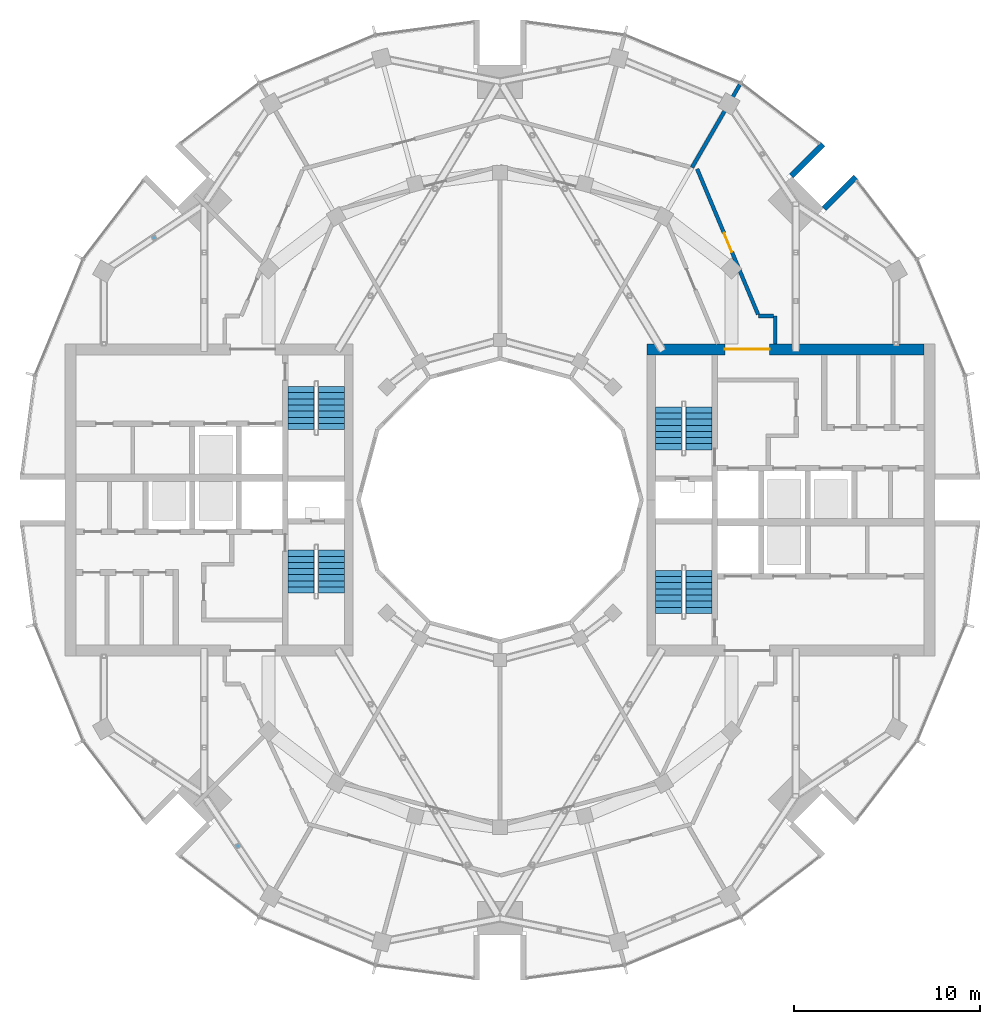
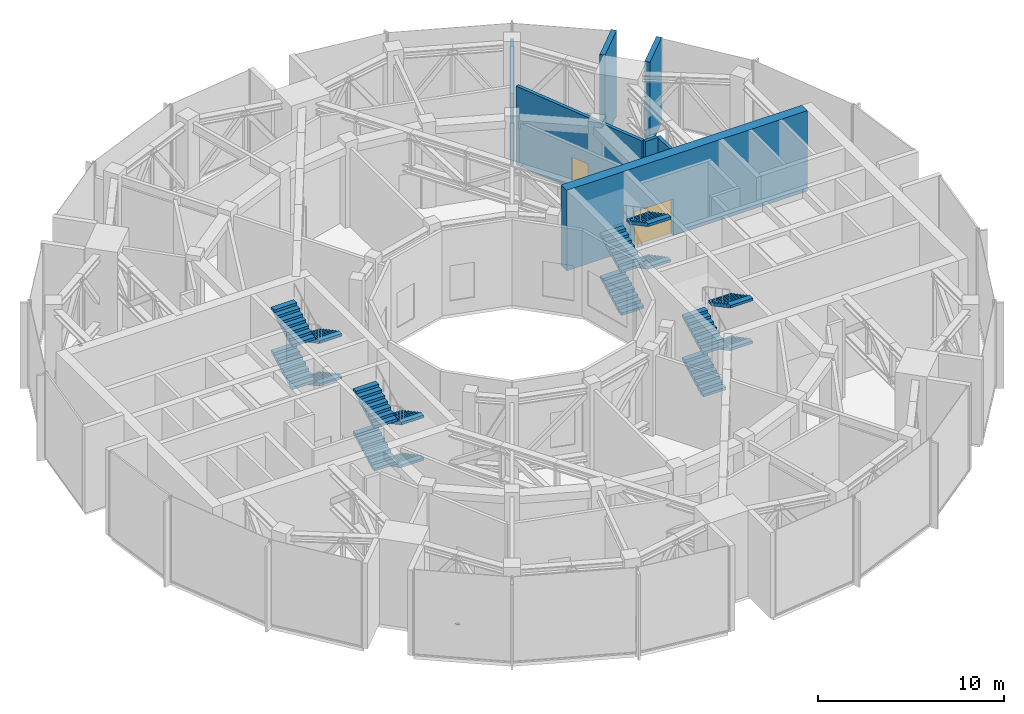
# One storey, part 16 of 18: 16 stair flights, 7 walls, 2 discrete accessories, 2 doors, 2 openings, 4 elements without a shape of their own.
"""IFC4 building model written with IfcOpenShell, lengths in metres."""

from ifc_helpers import new_model, si_unit, direction, frame, frame_2d, origin, origin_2d, place, context, subcontext, project, spatial, polyline, rectangle, outline, extrude, material, layer, layer_set, type_object, element, fill, aggregate, save


model = new_model("IFC4")

# Units and contexts
model_context = context("Model", 3, precision=1e-05, world=origin(), true_north=direction((0.0, 1.0)))
body_context = subcontext(model_context, "Body", "Model", "MODEL_VIEW")
ifc_project = project(units=[si_unit("LENGTHUNIT", "METRE"), si_unit("AREAUNIT", "SQUARE_METRE"), si_unit("VOLUMEUNIT", "CUBIC_METRE"), si_unit("PLANEANGLEUNIT", "RADIAN"), si_unit("MASSUNIT", "GRAM", prefix="KILO")], contexts=[model_context])

# Site, building, storey
site_placement = place(None, origin())
site = spatial("IfcSite", under=ifc_project, at=site_placement, CompositionType="ELEMENT")
building_placement = place(site_placement, origin())
building = spatial("IfcBuilding", under=site, at=building_placement, Name="Torre Brocal", CompositionType="ELEMENT")
storey_placement = place(building_placement, frame((0.0, 0.0, 206.89990234375)))
storey = spatial("IfcBuildingStorey", under=building, at=storey_placement, Name="L48", CompositionType="ELEMENT", Elevation=206.89990234375)

# Wall, opening, door
ifc_material_1 = material(Name="Concrete C60", Category="concrete")
ifc_layer_1 = layer(ifc_material_1, 0.60009765625)
ifc_layer_set_1 = layer_set([ifc_layer_1], Name="Concrete C60")
wall_type_1 = type_object("IfcWallType", Name="CORE WALL 600 C60", PredefinedType="SHEAR", material=ifc_layer_set_1)
wall_1_placement = place(storey_placement, frame((87.89990234375, 83.10009765625, 0.0), z_axis=(0.0, 0.0, 1.0), x_axis=(1.0, 0.0, 0.0)))
wall_1 = element("IfcWall", 1, at=wall_1_placement, inside=storey, type_object=wall_type_1, Name="Wall CW600-60", PredefinedType="SHEAR", context=body_context, shape_type="SweptSolid", body=[
    extrude(rectangle(XDim=14.900146484375, YDim=0.60009765625, at=frame_2d((7.4501953125, 0.0))), origin(), (0.0, 0.0, 1.0), 5.280029296875),
])
opening_1_placement = place(wall_1_placement, frame((4.199951171875, 0.0, 0.0)))
opening_1 = element("IfcOpeningElement", 2, at=opening_1_placement, cuts=wall_1, Name="Opening E-D12", PredefinedType="OPENING", context=body_context, shape_type="SweptSolid", body=[
    extrude(rectangle(XDim=2.39990234375, YDim=2.39990234375, at=frame_2d((1.199951171875, 1.199951171875))), frame((0.0, 0.31005859375, 0.0), z_axis=(0.0, -1.0, 0.0), x_axis=(1.0, 0.0, 0.0)), (0.0, 0.0, 1.0), 0.6201171875),
])
ifc_material_2 = material(Name="Steel A653", Category="steel")
door_type_1 = type_object("IfcDoorType", Name="DOUBLE FIRE DOOR FD90 2400X2400", OperationType="DOUBLE_DOOR_SINGLE_SWING", PredefinedType="DOOR", material=ifc_material_2)
door_1_placement = place(opening_1_placement, frame((2.39990234375, 0.0, 0.0), z_axis=(0.0, 0.0, 1.0), x_axis=(-1.0, 0.0, 0.0)))
door_1 = element("IfcDoor", 3, at=door_1_placement, inside=storey, type_object=door_type_1, Name="Door E-D12", OperationType="DOUBLE_DOOR_SINGLE_SWING", OverallHeight=2.39990234375, OverallWidth=2.39990234375, PredefinedType="DOOR", context=body_context, shape_type="SweptSolid", body=[
    extrude(rectangle(XDim=2.39990234375, YDim=2.39990234375, at=frame_2d((1.199951171875, 1.199951171875))), frame((0.0, 0.02490234375, 0.0), z_axis=(0.0, -1.0, 0.0), x_axis=(1.0, 0.0, 0.0)), (0.0, 0.0, 1.0), 0.050048828125),
])
fill(opening_1, door_1)

# Walls
ifc_material_3 = material(Name="Concrete C60", Category="concrete")
ifc_layer_2 = layer(ifc_material_3, 0.300048828125)
ifc_layer_set_2 = layer_set([ifc_layer_2], Name="Concrete C60")
wall_type_2 = type_object("IfcWallType", Name="NOTCH RETURN WALL 300 C60", PredefinedType="NOTDEFINED", material=ifc_layer_set_2)
for number, where, z_axis, x_axis, name in (
    (4, (97.43017578125, 90.662353515625, 0.0), (0.0, 0.0, 1.0), (0.707106781187, 0.707106781187, 0.0), "NOTCH RETURN WALL"),
    (5, (95.662353515625, 92.43017578125, 0.0), (0.0, 0.0, 1.0), (0.707106781187, 0.707106781187, 0.0), "NOTCH RETURN WALL"),
):
    element("IfcWall", number, at=place(storey_placement, frame(where, z_axis=z_axis, x_axis=x_axis)), inside=storey, type_object=wall_type_2, Name=name, PredefinedType="NOTDEFINED", context=body_context, shape_type="SweptSolid", body=[
        extrude(rectangle(XDim=2.415771484375, YDim=0.300048828125, at=frame_2d((1.2080078125, 0.0))), origin(), (0.0, 0.0, 1.0), 5.60009765625),
    ])
ifc_material_4 = material(Name="Masonry block", Category="masonry")
ifc_layer_3 = layer(ifc_material_4, 0.199951171875)
ifc_layer_set_3 = layer_set([ifc_layer_3], Name="Masonry block")
wall_type_3 = type_object("IfcWallType", Name="PARTITION 200 EI120 UNDER BEAM 933", PredefinedType="PARTITIONING", material=ifc_layer_set_3)
wall_2_placement = place(storey_placement, frame((90.323486328125, 92.879638671875, 0.0), z_axis=(0.0, 0.0, 1.0), x_axis=(0.500028816268, 0.866008766065, 0.0)))
element("IfcWall", 6, at=wall_2_placement, inside=storey, type_object=wall_type_3, Name="PLANT ROOM WALL", PredefinedType="PARTITIONING", context=body_context, shape_type="SweptSolid", body=[
    extrude(rectangle(XDim=5.150634765625, YDim=0.199951171875, at=frame_2d((2.5751953125, 0.0))), origin(), (0.0, 0.0, 1.0), 4.6669921875),
])

# Wall, opening, door
ifc_material_5 = material(Name="Gypsum board", Category="Gypsum")
ifc_layer_4 = layer(ifc_material_5, 0.199951171875)
ifc_layer_set_4 = layer_set([ifc_layer_4], Name="Gypsum board")
wall_type_4 = type_object("IfcWallType", Name="PARTITION 200 EI60", PredefinedType="PARTITIONING", material=ifc_layer_set_4)
wall_3_placement = place(storey_placement, frame((90.60302734375, 92.804931640625, 0.0), z_axis=(0.0, 0.0, 1.0), x_axis=(0.386317530854, -0.922365852227, 0.0)))
wall_3 = element("IfcWall", 7, at=wall_3_placement, inside=storey, type_object=wall_type_4, Name="PLANT ROOM WALL", PredefinedType="PARTITIONING", context=body_context, shape_type="SweptSolid", body=[
    extrude(rectangle(XDim=8.48046875, YDim=0.199951171875, at=frame_2d((4.240234375, 0.0))), origin(), (0.0, 0.0, 1.0), 5.150146484375),
])
opening_2_placement = place(wall_3_placement, frame((3.735107421875, 0.0, 0.0)))
opening_2 = element("IfcOpeningElement", 8, at=opening_2_placement, cuts=wall_3, Name="Opening X2-D01", PredefinedType="OPENING", context=body_context, shape_type="SweptSolid", body=[
    extrude(rectangle(XDim=1.10009765625, YDim=2.10009765625, at=frame_2d((0.550048828125, 1.050048828125))), frame((0.0, 0.10986328125, 0.0), z_axis=(0.0, -1.0, 0.0), x_axis=(1.0, 0.0, 0.0)), (0.0, 0.0, 1.0), 0.219970703125),
])
ifc_material_6 = material(Name="Steel A653", Category="steel")
door_type_2 = type_object("IfcDoorType", Name="REFUGE DOOR FD90 1100X2100", OperationType="SINGLE_SWING_RIGHT", PredefinedType="DOOR", material=ifc_material_6)
door_2_placement = place(opening_2_placement, origin())
door_2 = element("IfcDoor", 9, at=door_2_placement, inside=storey, type_object=door_type_2, Name="X2-D01", OperationType="SINGLE_SWING_RIGHT", OverallHeight=2.10009765625, OverallWidth=1.10009765625, PredefinedType="DOOR", context=body_context, shape_type="SweptSolid", body=[
    extrude(rectangle(XDim=1.10009765625, YDim=2.10009765625, at=frame_2d((0.550048828125, 1.050048828125))), frame((0.0, 0.02490234375, 0.0), z_axis=(0.0, -1.0, 0.0), x_axis=(1.0, 0.0, 0.0)), (0.0, 0.0, 1.0), 0.050048828125),
])
fill(opening_2, door_2)

# Walls
wall_4_placement = place(storey_placement, frame((93.9150390625, 84.89990234375, 0.0), z_axis=(0.0, 0.0, 1.0), x_axis=(1.0, 0.0, 0.0)))
element("IfcWall", 10, at=wall_4_placement, inside=storey, type_object=wall_type_4, Name="PLANT ROOM WALL", PredefinedType="PARTITIONING", context=body_context, shape_type="SweptSolid", body=[
    extrude(rectangle(XDim=0.784912109375, YDim=0.199951171875, at=frame_2d((0.392578125, 0.0))), origin(), (0.0, 0.0, 1.0), 5.150146484375),
])
wall_5_placement = place(storey_placement, frame((94.800048828125, 83.40087890625, 0.0), z_axis=(0.0, 0.0, 1.0), x_axis=(0.0, 1.0, 0.0)))
element("IfcWall", 11, at=wall_5_placement, inside=storey, type_object=wall_type_4, Name="PLANT ROOM WALL", PredefinedType="PARTITIONING", context=body_context, shape_type="SweptSolid", body=[
    extrude(rectangle(XDim=1.4990234375, YDim=0.199951171875, at=frame_2d((0.74951171875, 0.0))), origin(), (0.0, 0.0, 1.0), 5.150146484375),
])

# Stair, stair flights
ifc_material_7 = material(Name="Concrete C50", Category="concrete")
stair_type = type_object("IfcStairType", Name="EXIT STAIR", PredefinedType="HALF_TURN_STAIR", material=ifc_material_7)
stair_1_placement = place(storey_placement, origin())
stair_1 = element("IfcStair", 12, at=stair_1_placement, inside=storey, type_object=stair_type, Name="EXIT STAIR ST1", PredefinedType="HALF_TURN_STAIR")
ifc_material_8 = material(Name="Concrete C50", Category="concrete")
ifc_layer_5 = layer(ifc_material_8, 0.14990234375)
ifc_layer_set_5 = layer_set([ifc_layer_5], Name="Concrete C50")
stair_flight_type = type_object("IfcStairFlightType", Name="STAIR FLIGHT", PredefinedType="STRAIGHT", material=ifc_layer_set_5)
stair_flight_1_placement = place(storey_placement, frame((89.050048828125, 77.699951171875, 0.0), z_axis=(0.0, 0.0, 1.0), x_axis=(0.0, 1.0, 0.0)))
stair_flight_1 = element("IfcStairFlight", 13, at=stair_flight_1_placement, type_object=stair_flight_type, Name="ST1 flight 1", NumberOfRisers=8, NumberOfTreads=7, PredefinedType="STRAIGHT", RiserHeight=0.175, TreadLength=0.33, context=body_context, shape_type="SweptSolid", body=[
    extrude(outline(polyline([(0.0, 0.0), (0.0, 0.175048828125), (0.330078125, 0.175048828125), (0.330078125, 0.35009765625), (0.659912109375, 0.35009765625), (0.659912109375, 0.52490234375), (0.989990234375, 0.52490234375), (0.989990234375, 0.699951171875), (1.320068359375, 0.699951171875), (1.320068359375, 0.875), (1.64990234375, 0.875), (1.64990234375, 1.050048828125), (1.97998046875, 1.050048828125), (1.97998046875, 1.22509765625), (2.31005859375, 1.22509765625), (2.31005859375, 1.39990234375), (2.31005859375, 1.055419921875), (0.320068359375, 0.0), (0.0, 0.0)])), frame((0.0, 0.699951171875, 0.0), z_axis=(0.0, -1.0, 0.0), x_axis=(1.0, 0.0, 0.0)), (0.0, 0.0, 1.0), 1.39990234375),
])
stair_flight_2_placement = place(storey_placement, frame((90.699951171875, 80.010009765625, 1.400146484375), z_axis=(0.0, 0.0, 1.0), x_axis=(0.0, -1.0, 0.0)))
stair_flight_2 = element("IfcStairFlight", 14, at=stair_flight_2_placement, type_object=stair_flight_type, Name="ST1 flight 2", NumberOfRisers=8, NumberOfTreads=7, PredefinedType="STRAIGHT", RiserHeight=0.175, TreadLength=0.33, context=body_context, shape_type="SweptSolid", body=[
    extrude(outline(polyline([(0.0, 0.0), (0.0, 0.175048828125), (0.330078125, 0.175048828125), (0.330078125, 0.35009765625), (0.659912109375, 0.35009765625), (0.659912109375, 0.52490234375), (0.989990234375, 0.52490234375), (0.989990234375, 0.699951171875), (1.320068359375, 0.699951171875), (1.320068359375, 0.875), (1.64990234375, 0.875), (1.64990234375, 1.050048828125), (1.97998046875, 1.050048828125), (1.97998046875, 1.22509765625), (2.31005859375, 1.22509765625), (2.31005859375, 1.39990234375), (2.31005859375, 1.055419921875), (0.320068359375, 0.0), (0.0, 0.0)])), frame((0.0, 0.699951171875, 0.0), z_axis=(0.0, -1.0, 0.0), x_axis=(1.0, 0.0, 0.0)), (0.0, 0.0, 1.0), 1.39990234375),
])
stair_flight_3_placement = place(storey_placement, frame((89.050048828125, 77.699951171875, 2.800048828125), z_axis=(0.0, 0.0, 1.0), x_axis=(0.0, 1.0, 0.0)))
stair_flight_3 = element("IfcStairFlight", 15, at=stair_flight_3_placement, type_object=stair_flight_type, Name="ST1 flight 3", NumberOfRisers=8, NumberOfTreads=7, PredefinedType="STRAIGHT", RiserHeight=0.175, TreadLength=0.33, context=body_context, shape_type="SweptSolid", body=[
    extrude(outline(polyline([(0.0, 0.0), (0.0, 0.175048828125), (0.330078125, 0.175048828125), (0.330078125, 0.35009765625), (0.659912109375, 0.35009765625), (0.659912109375, 0.52490234375), (0.989990234375, 0.52490234375), (0.989990234375, 0.699951171875), (1.320068359375, 0.699951171875), (1.320068359375, 0.875), (1.64990234375, 0.875), (1.64990234375, 1.050048828125), (1.97998046875, 1.050048828125), (1.97998046875, 1.22509765625), (2.31005859375, 1.22509765625), (2.31005859375, 1.39990234375), (2.31005859375, 1.055419921875), (0.320068359375, 0.0), (0.0, 0.0)])), frame((0.0, 0.699951171875, 0.0), z_axis=(0.0, -1.0, 0.0), x_axis=(1.0, 0.0, 0.0)), (0.0, 0.0, 1.0), 1.39990234375),
])
stair_flight_4_placement = place(storey_placement, frame((90.699951171875, 80.010009765625, 4.2001953125), z_axis=(0.0, 0.0, 1.0), x_axis=(0.0, -1.0, 0.0)))
stair_flight_4 = element("IfcStairFlight", 16, at=stair_flight_4_placement, type_object=stair_flight_type, Name="ST1 flight 4", NumberOfRisers=8, NumberOfTreads=7, PredefinedType="STRAIGHT", RiserHeight=0.175, TreadLength=0.33, context=body_context, shape_type="SweptSolid", body=[
    extrude(outline(polyline([(0.0, 0.0), (0.0, 0.175048828125), (0.330078125, 0.175048828125), (0.330078125, 0.35009765625), (0.659912109375, 0.35009765625), (0.659912109375, 0.52490234375), (0.989990234375, 0.52490234375), (0.989990234375, 0.699951171875), (1.320068359375, 0.699951171875), (1.320068359375, 0.875), (1.64990234375, 0.875), (1.64990234375, 1.050048828125), (1.97998046875, 1.050048828125), (1.97998046875, 1.22509765625), (2.31005859375, 1.22509765625), (2.31005859375, 1.39990234375), (2.31005859375, 1.055419921875), (0.320068359375, 0.0), (0.0, 0.0)])), frame((0.0, 0.699951171875, 0.0), z_axis=(0.0, -1.0, 0.0), x_axis=(1.0, 0.0, 0.0)), (0.0, 0.0, 1.0), 1.39990234375),
])
aggregate(stair_1, [stair_flight_1, stair_flight_2, stair_flight_3, stair_flight_4])

stair_2_placement = place(storey_placement, origin())
stair_2 = element("IfcStair", 17, at=stair_2_placement, inside=storey, type_object=stair_type, Name="EXIT STAIR ST2", PredefinedType="HALF_TURN_STAIR")
stair_flight_5_placement = place(storey_placement, frame((89.050048828125, 68.89990234375, 0.0), z_axis=(0.0, 0.0, 1.0), x_axis=(0.0, 1.0, 0.0)))
stair_flight_5 = element("IfcStairFlight", 18, at=stair_flight_5_placement, type_object=stair_flight_type, Name="ST2 flight 1", NumberOfRisers=8, NumberOfTreads=7, PredefinedType="STRAIGHT", RiserHeight=0.175, TreadLength=0.33, context=body_context, shape_type="SweptSolid", body=[
    extrude(outline(polyline([(0.0, 0.0), (0.0, 0.175048828125), (0.330078125, 0.175048828125), (0.330078125, 0.35009765625), (0.659912109375, 0.35009765625), (0.659912109375, 0.52490234375), (0.989990234375, 0.52490234375), (0.989990234375, 0.699951171875), (1.320068359375, 0.699951171875), (1.320068359375, 0.875), (1.64990234375, 0.875), (1.64990234375, 1.050048828125), (1.97998046875, 1.050048828125), (1.97998046875, 1.22509765625), (2.31005859375, 1.22509765625), (2.31005859375, 1.39990234375), (2.31005859375, 1.055419921875), (0.320068359375, 0.0), (0.0, 0.0)])), frame((0.0, 0.699951171875, 0.0), z_axis=(0.0, -1.0, 0.0), x_axis=(1.0, 0.0, 0.0)), (0.0, 0.0, 1.0), 1.39990234375),
])
stair_flight_6_placement = place(storey_placement, frame((90.699951171875, 71.2099609375, 1.400146484375), z_axis=(0.0, 0.0, 1.0), x_axis=(0.0, -1.0, 0.0)))
stair_flight_6 = element("IfcStairFlight", 19, at=stair_flight_6_placement, type_object=stair_flight_type, Name="ST2 flight 2", NumberOfRisers=8, NumberOfTreads=7, PredefinedType="STRAIGHT", RiserHeight=0.175, TreadLength=0.33, context=body_context, shape_type="SweptSolid", body=[
    extrude(outline(polyline([(0.0, 0.0), (0.0, 0.175048828125), (0.330078125, 0.175048828125), (0.330078125, 0.35009765625), (0.659912109375, 0.35009765625), (0.659912109375, 0.52490234375), (0.989990234375, 0.52490234375), (0.989990234375, 0.699951171875), (1.320068359375, 0.699951171875), (1.320068359375, 0.875), (1.64990234375, 0.875), (1.64990234375, 1.050048828125), (1.97998046875, 1.050048828125), (1.97998046875, 1.22509765625), (2.31005859375, 1.22509765625), (2.31005859375, 1.39990234375), (2.31005859375, 1.055419921875), (0.320068359375, 0.0), (0.0, 0.0)])), frame((0.0, 0.699951171875, 0.0), z_axis=(0.0, -1.0, 0.0), x_axis=(1.0, 0.0, 0.0)), (0.0, 0.0, 1.0), 1.39990234375),
])
stair_flight_7_placement = place(storey_placement, frame((89.050048828125, 68.89990234375, 2.800048828125), z_axis=(0.0, 0.0, 1.0), x_axis=(0.0, 1.0, 0.0)))
stair_flight_7 = element("IfcStairFlight", 20, at=stair_flight_7_placement, type_object=stair_flight_type, Name="ST2 flight 3", NumberOfRisers=8, NumberOfTreads=7, PredefinedType="STRAIGHT", RiserHeight=0.175, TreadLength=0.33, context=body_context, shape_type="SweptSolid", body=[
    extrude(outline(polyline([(0.0, 0.0), (0.0, 0.175048828125), (0.330078125, 0.175048828125), (0.330078125, 0.35009765625), (0.659912109375, 0.35009765625), (0.659912109375, 0.52490234375), (0.989990234375, 0.52490234375), (0.989990234375, 0.699951171875), (1.320068359375, 0.699951171875), (1.320068359375, 0.875), (1.64990234375, 0.875), (1.64990234375, 1.050048828125), (1.97998046875, 1.050048828125), (1.97998046875, 1.22509765625), (2.31005859375, 1.22509765625), (2.31005859375, 1.39990234375), (2.31005859375, 1.055419921875), (0.320068359375, 0.0), (0.0, 0.0)])), frame((0.0, 0.699951171875, 0.0), z_axis=(0.0, -1.0, 0.0), x_axis=(1.0, 0.0, 0.0)), (0.0, 0.0, 1.0), 1.39990234375),
])
stair_flight_8_placement = place(storey_placement, frame((90.699951171875, 71.2099609375, 4.2001953125), z_axis=(0.0, 0.0, 1.0), x_axis=(0.0, -1.0, 0.0)))
stair_flight_8 = element("IfcStairFlight", 21, at=stair_flight_8_placement, type_object=stair_flight_type, Name="ST2 flight 4", NumberOfRisers=8, NumberOfTreads=7, PredefinedType="STRAIGHT", RiserHeight=0.175, TreadLength=0.33, context=body_context, shape_type="SweptSolid", body=[
    extrude(outline(polyline([(0.0, 0.0), (0.0, 0.175048828125), (0.330078125, 0.175048828125), (0.330078125, 0.35009765625), (0.659912109375, 0.35009765625), (0.659912109375, 0.52490234375), (0.989990234375, 0.52490234375), (0.989990234375, 0.699951171875), (1.320068359375, 0.699951171875), (1.320068359375, 0.875), (1.64990234375, 0.875), (1.64990234375, 1.050048828125), (1.97998046875, 1.050048828125), (1.97998046875, 1.22509765625), (2.31005859375, 1.22509765625), (2.31005859375, 1.39990234375), (2.31005859375, 1.055419921875), (0.320068359375, 0.0), (0.0, 0.0)])), frame((0.0, 0.699951171875, 0.0), z_axis=(0.0, -1.0, 0.0), x_axis=(1.0, 0.0, 0.0)), (0.0, 0.0, 1.0), 1.39990234375),
])
aggregate(stair_2, [stair_flight_5, stair_flight_6, stair_flight_7, stair_flight_8])

stair_3_placement = place(storey_placement, origin())
stair_3 = element("IfcStair", 22, at=stair_3_placement, inside=storey, type_object=stair_type, Name="EXIT STAIR ST3", PredefinedType="HALF_TURN_STAIR")
stair_flight_9_placement = place(storey_placement, frame((70.949951171875, 72.300048828125, 0.0), z_axis=(0.0, 0.0, 1.0), x_axis=(0.0, -1.0, 0.0)))
stair_flight_9 = element("IfcStairFlight", 23, at=stair_flight_9_placement, type_object=stair_flight_type, Name="ST3 flight 1", NumberOfRisers=8, NumberOfTreads=7, PredefinedType="STRAIGHT", RiserHeight=0.175, TreadLength=0.33, context=body_context, shape_type="SweptSolid", body=[
    extrude(outline(polyline([(0.0, 0.0), (0.0, 0.175048828125), (0.330078125, 0.175048828125), (0.330078125, 0.35009765625), (0.659912109375, 0.35009765625), (0.659912109375, 0.52490234375), (0.989990234375, 0.52490234375), (0.989990234375, 0.699951171875), (1.320068359375, 0.699951171875), (1.320068359375, 0.875), (1.64990234375, 0.875), (1.64990234375, 1.050048828125), (1.97998046875, 1.050048828125), (1.97998046875, 1.22509765625), (2.31005859375, 1.22509765625), (2.31005859375, 1.39990234375), (2.31005859375, 1.055419921875), (0.320068359375, 0.0), (0.0, 0.0)])), frame((0.0, 0.699951171875, 0.0), z_axis=(0.0, -1.0, 0.0), x_axis=(1.0, 0.0, 0.0)), (0.0, 0.0, 1.0), 1.39990234375),
])
stair_flight_10_placement = place(storey_placement, frame((69.300048828125, 69.989990234375, 1.400146484375), z_axis=(0.0, 0.0, 1.0), x_axis=(0.0, 1.0, 0.0)))
stair_flight_10 = element("IfcStairFlight", 24, at=stair_flight_10_placement, type_object=stair_flight_type, Name="ST3 flight 2", NumberOfRisers=8, NumberOfTreads=7, PredefinedType="STRAIGHT", RiserHeight=0.175, TreadLength=0.33, context=body_context, shape_type="SweptSolid", body=[
    extrude(outline(polyline([(0.0, 0.0), (0.0, 0.175048828125), (0.330078125, 0.175048828125), (0.330078125, 0.35009765625), (0.659912109375, 0.35009765625), (0.659912109375, 0.52490234375), (0.989990234375, 0.52490234375), (0.989990234375, 0.699951171875), (1.320068359375, 0.699951171875), (1.320068359375, 0.875), (1.64990234375, 0.875), (1.64990234375, 1.050048828125), (1.97998046875, 1.050048828125), (1.97998046875, 1.22509765625), (2.31005859375, 1.22509765625), (2.31005859375, 1.39990234375), (2.31005859375, 1.055419921875), (0.320068359375, 0.0), (0.0, 0.0)])), frame((0.0, 0.699951171875, 0.0), z_axis=(0.0, -1.0, 0.0), x_axis=(1.0, 0.0, 0.0)), (0.0, 0.0, 1.0), 1.39990234375),
])
stair_flight_11_placement = place(storey_placement, frame((70.949951171875, 72.300048828125, 2.800048828125), z_axis=(0.0, 0.0, 1.0), x_axis=(0.0, -1.0, 0.0)))
stair_flight_11 = element("IfcStairFlight", 25, at=stair_flight_11_placement, type_object=stair_flight_type, Name="ST3 flight 3", NumberOfRisers=8, NumberOfTreads=7, PredefinedType="STRAIGHT", RiserHeight=0.175, TreadLength=0.33, context=body_context, shape_type="SweptSolid", body=[
    extrude(outline(polyline([(0.0, 0.0), (0.0, 0.175048828125), (0.330078125, 0.175048828125), (0.330078125, 0.35009765625), (0.659912109375, 0.35009765625), (0.659912109375, 0.52490234375), (0.989990234375, 0.52490234375), (0.989990234375, 0.699951171875), (1.320068359375, 0.699951171875), (1.320068359375, 0.875), (1.64990234375, 0.875), (1.64990234375, 1.050048828125), (1.97998046875, 1.050048828125), (1.97998046875, 1.22509765625), (2.31005859375, 1.22509765625), (2.31005859375, 1.39990234375), (2.31005859375, 1.055419921875), (0.320068359375, 0.0), (0.0, 0.0)])), frame((0.0, 0.699951171875, 0.0), z_axis=(0.0, -1.0, 0.0), x_axis=(1.0, 0.0, 0.0)), (0.0, 0.0, 1.0), 1.39990234375),
])
stair_flight_12_placement = place(storey_placement, frame((69.300048828125, 69.989990234375, 4.2001953125), z_axis=(0.0, 0.0, 1.0), x_axis=(0.0, 1.0, 0.0)))
stair_flight_12 = element("IfcStairFlight", 26, at=stair_flight_12_placement, type_object=stair_flight_type, Name="ST3 flight 4", NumberOfRisers=8, NumberOfTreads=7, PredefinedType="STRAIGHT", RiserHeight=0.175, TreadLength=0.33, context=body_context, shape_type="SweptSolid", body=[
    extrude(outline(polyline([(0.0, 0.0), (0.0, 0.175048828125), (0.330078125, 0.175048828125), (0.330078125, 0.35009765625), (0.659912109375, 0.35009765625), (0.659912109375, 0.52490234375), (0.989990234375, 0.52490234375), (0.989990234375, 0.699951171875), (1.320068359375, 0.699951171875), (1.320068359375, 0.875), (1.64990234375, 0.875), (1.64990234375, 1.050048828125), (1.97998046875, 1.050048828125), (1.97998046875, 1.22509765625), (2.31005859375, 1.22509765625), (2.31005859375, 1.39990234375), (2.31005859375, 1.055419921875), (0.320068359375, 0.0), (0.0, 0.0)])), frame((0.0, 0.699951171875, 0.0), z_axis=(0.0, -1.0, 0.0), x_axis=(1.0, 0.0, 0.0)), (0.0, 0.0, 1.0), 1.39990234375),
])
aggregate(stair_3, [stair_flight_9, stair_flight_10, stair_flight_11, stair_flight_12])

stair_4_placement = place(storey_placement, origin())
stair_4 = element("IfcStair", 27, at=stair_4_placement, inside=storey, type_object=stair_type, Name="EXIT STAIR ST4", PredefinedType="HALF_TURN_STAIR")
stair_flight_13_placement = place(storey_placement, frame((70.949951171875, 81.10009765625, 0.0), z_axis=(0.0, 0.0, 1.0), x_axis=(0.0, -1.0, 0.0)))
stair_flight_13 = element("IfcStairFlight", 28, at=stair_flight_13_placement, type_object=stair_flight_type, Name="ST4 flight 1", NumberOfRisers=8, NumberOfTreads=7, PredefinedType="STRAIGHT", RiserHeight=0.175, TreadLength=0.33, context=body_context, shape_type="SweptSolid", body=[
    extrude(outline(polyline([(0.0, 0.0), (0.0, 0.175048828125), (0.330078125, 0.175048828125), (0.330078125, 0.35009765625), (0.659912109375, 0.35009765625), (0.659912109375, 0.52490234375), (0.989990234375, 0.52490234375), (0.989990234375, 0.699951171875), (1.320068359375, 0.699951171875), (1.320068359375, 0.875), (1.64990234375, 0.875), (1.64990234375, 1.050048828125), (1.97998046875, 1.050048828125), (1.97998046875, 1.22509765625), (2.31005859375, 1.22509765625), (2.31005859375, 1.39990234375), (2.31005859375, 1.055419921875), (0.320068359375, 0.0), (0.0, 0.0)])), frame((0.0, 0.699951171875, 0.0), z_axis=(0.0, -1.0, 0.0), x_axis=(1.0, 0.0, 0.0)), (0.0, 0.0, 1.0), 1.39990234375),
])
stair_flight_14_placement = place(storey_placement, frame((69.300048828125, 78.7900390625, 1.400146484375), z_axis=(0.0, 0.0, 1.0), x_axis=(0.0, 1.0, 0.0)))
stair_flight_14 = element("IfcStairFlight", 29, at=stair_flight_14_placement, type_object=stair_flight_type, Name="ST4 flight 2", NumberOfRisers=8, NumberOfTreads=7, PredefinedType="STRAIGHT", RiserHeight=0.175, TreadLength=0.33, context=body_context, shape_type="SweptSolid", body=[
    extrude(outline(polyline([(0.0, 0.0), (0.0, 0.175048828125), (0.330078125, 0.175048828125), (0.330078125, 0.35009765625), (0.659912109375, 0.35009765625), (0.659912109375, 0.52490234375), (0.989990234375, 0.52490234375), (0.989990234375, 0.699951171875), (1.320068359375, 0.699951171875), (1.320068359375, 0.875), (1.64990234375, 0.875), (1.64990234375, 1.050048828125), (1.97998046875, 1.050048828125), (1.97998046875, 1.22509765625), (2.31005859375, 1.22509765625), (2.31005859375, 1.39990234375), (2.31005859375, 1.055419921875), (0.320068359375, 0.0), (0.0, 0.0)])), frame((0.0, 0.699951171875, 0.0), z_axis=(0.0, -1.0, 0.0), x_axis=(1.0, 0.0, 0.0)), (0.0, 0.0, 1.0), 1.39990234375),
])
stair_flight_15_placement = place(storey_placement, frame((70.949951171875, 81.10009765625, 2.800048828125), z_axis=(0.0, 0.0, 1.0), x_axis=(0.0, -1.0, 0.0)))
stair_flight_15 = element("IfcStairFlight", 30, at=stair_flight_15_placement, type_object=stair_flight_type, Name="ST4 flight 3", NumberOfRisers=8, NumberOfTreads=7, PredefinedType="STRAIGHT", RiserHeight=0.175, TreadLength=0.33, context=body_context, shape_type="SweptSolid", body=[
    extrude(outline(polyline([(0.0, 0.0), (0.0, 0.175048828125), (0.330078125, 0.175048828125), (0.330078125, 0.35009765625), (0.659912109375, 0.35009765625), (0.659912109375, 0.52490234375), (0.989990234375, 0.52490234375), (0.989990234375, 0.699951171875), (1.320068359375, 0.699951171875), (1.320068359375, 0.875), (1.64990234375, 0.875), (1.64990234375, 1.050048828125), (1.97998046875, 1.050048828125), (1.97998046875, 1.22509765625), (2.31005859375, 1.22509765625), (2.31005859375, 1.39990234375), (2.31005859375, 1.055419921875), (0.320068359375, 0.0), (0.0, 0.0)])), frame((0.0, 0.699951171875, 0.0), z_axis=(0.0, -1.0, 0.0), x_axis=(1.0, 0.0, 0.0)), (0.0, 0.0, 1.0), 1.39990234375),
])
stair_flight_16_placement = place(storey_placement, frame((69.300048828125, 78.7900390625, 4.2001953125), z_axis=(0.0, 0.0, 1.0), x_axis=(0.0, 1.0, 0.0)))
stair_flight_16 = element("IfcStairFlight", 31, at=stair_flight_16_placement, type_object=stair_flight_type, Name="ST4 flight 4", NumberOfRisers=8, NumberOfTreads=7, PredefinedType="STRAIGHT", RiserHeight=0.175, TreadLength=0.33, context=body_context, shape_type="SweptSolid", body=[
    extrude(outline(polyline([(0.0, 0.0), (0.0, 0.175048828125), (0.330078125, 0.175048828125), (0.330078125, 0.35009765625), (0.659912109375, 0.35009765625), (0.659912109375, 0.52490234375), (0.989990234375, 0.52490234375), (0.989990234375, 0.699951171875), (1.320068359375, 0.699951171875), (1.320068359375, 0.875), (1.64990234375, 0.875), (1.64990234375, 1.050048828125), (1.97998046875, 1.050048828125), (1.97998046875, 1.22509765625), (2.31005859375, 1.22509765625), (2.31005859375, 1.39990234375), (2.31005859375, 1.055419921875), (0.320068359375, 0.0), (0.0, 0.0)])), frame((0.0, 0.699951171875, 0.0), z_axis=(0.0, -1.0, 0.0), x_axis=(1.0, 0.0, 0.0)), (0.0, 0.0, 1.0), 1.39990234375),
])
aggregate(stair_4, [stair_flight_13, stair_flight_14, stair_flight_15, stair_flight_16])

# Discrete accessories
ifc_material_9 = material(Name="Steel A500 Grade C", Category="steel")
discrete_accessory_type = type_object("IfcDiscreteAccessoryType", Name="TRUSS POST END CAP", PredefinedType="NOTDEFINED", material=ifc_material_9)
for number, where, z_axis, x_axis, name in (
    (32, (61.392822265625, 89.10498046875, 0.59716796875), (0.0, 0.0, 1.0), (1.0, 0.0, 0.0), "Discrete Accessory BT2-P08C"),
    (33, (65.89501953125, 56.392822265625, 0.59716796875), (0.0, 0.0, 1.0), (1.0, 0.0, 0.0), "Discrete Accessory BT2-P12C"),
):
    element("IfcDiscreteAccessory", number, at=place(storey_placement, frame(where, z_axis=z_axis, x_axis=x_axis)), inside=storey, type_object=discrete_accessory_type, Name=name, PredefinedType="NOTDEFINED", context=body_context, shape_type="SweptSolid", body=[
        extrude(rectangle(XDim=0.203125, YDim=0.203125, at=origin_2d()), origin(), (0.0, 0.0, 1.0), 0.02001953125),
    ])

save(model, "model.ifc")
